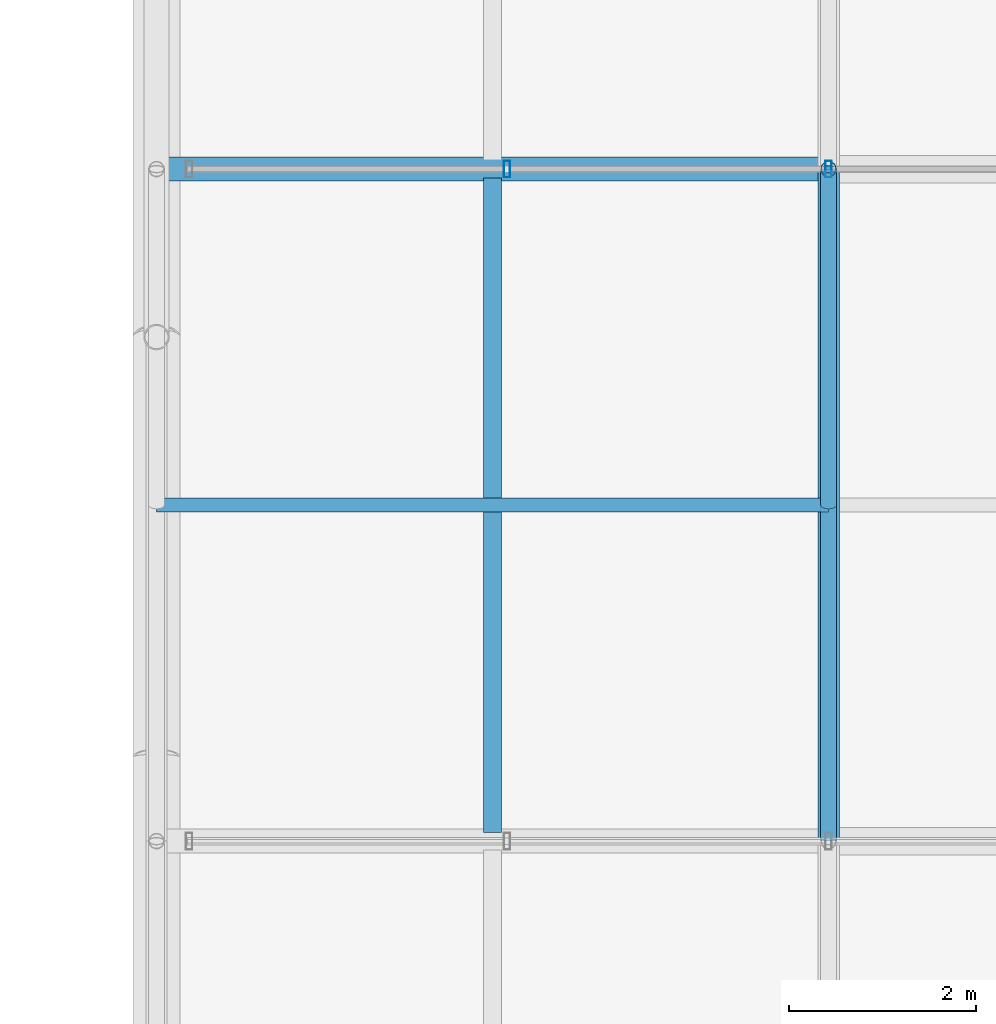
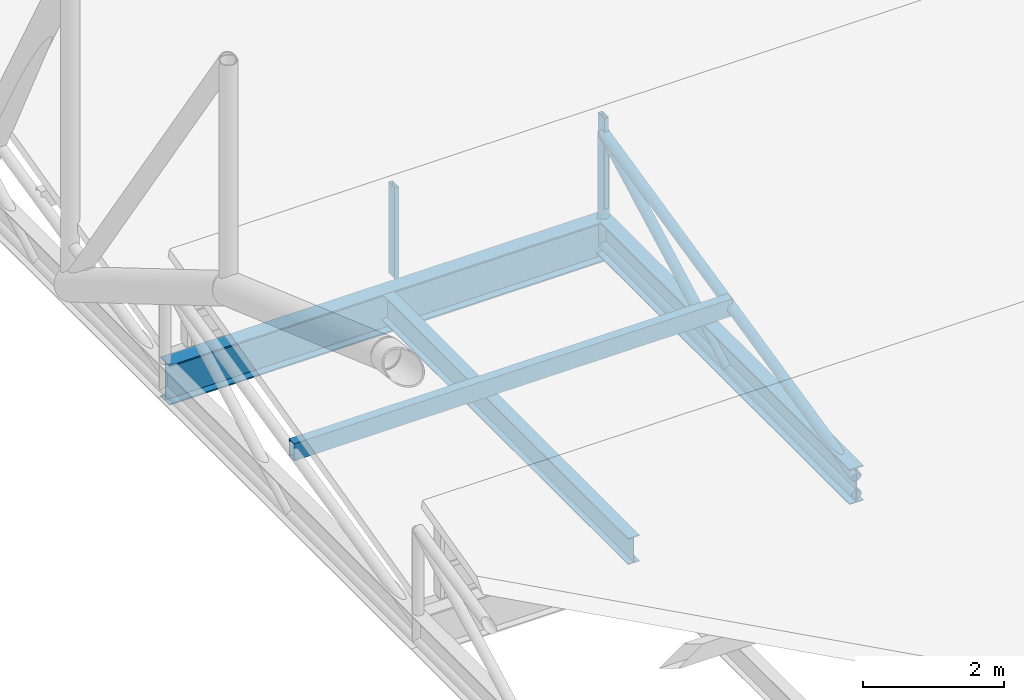
# One storey, part 77 of 144: 7 members, 3 beams, 1 element without a shape of its own.
"""IFC4 building model written with IfcOpenShell, lengths in metres."""

from ifc_helpers import new_model, si_unit, direction, frame, origin, origin_2d, place, context, subcontext, project, spatial, hollow_rectangle, hollow_circle, i_section, extrude, material, material_profile, profile_set, type_object, element, aggregate, save


model = new_model("IFC4")

# Units and contexts
model_context = context("Model", 3, precision=1e-05, world=origin(), true_north=direction((0.0, 1.0)))
body_context = subcontext(model_context, "Body", "Model", "MODEL_VIEW")
ifc_project = project(units=[si_unit("LENGTHUNIT", "METRE"), si_unit("AREAUNIT", "SQUARE_METRE"), si_unit("VOLUMEUNIT", "CUBIC_METRE"), si_unit("PLANEANGLEUNIT", "RADIAN"), si_unit("MASSUNIT", "GRAM", prefix="KILO")], contexts=[model_context])

# Site, building, storey
site_placement = place(None, origin())
site = spatial("IfcSite", under=ifc_project, at=site_placement, CompositionType="ELEMENT")
building_placement = place(site_placement, origin())
building = spatial("IfcBuilding", under=site, at=building_placement, Name="Yarey Park Central Fire Station", CompositionType="ELEMENT")
storey_placement = place(building_placement, frame((0.0, 0.0, 10.199951171875)))
storey = spatial("IfcBuildingStorey", under=building, at=storey_placement, Name="L03", CompositionType="ELEMENT", Elevation=10.199951171875)

# Curtain wall, members
ifc_material_1 = material(Name="Anodized Aluminium Frame", Category="aluminium")
curtain_wall_type = type_object("IfcCurtainWallType", Name="ENV_CW_SAW_18", PredefinedType="NOTDEFINED", material=ifc_material_1)
curtain_wall_placement = place(storey_placement, origin())
curtain_wall = element("IfcCurtainWall", 1, at=curtain_wall_placement, inside=storey, type_object=curtain_wall_type, Name="CW_L03_SAW_6_1", PredefinedType="NOTDEFINED")
ifc_material_profile_1 = material_profile(ifc_material_1, hollow_rectangle(XDim=0.070068359375, YDim=0.179931640625, WallThickness=0.00390625, at=origin_2d()), Name="ALU 180x70x4")
ifc_profile_set_1 = profile_set([ifc_material_profile_1], Name="Anodized Aluminium Frame")
member_type_1 = type_object("IfcMemberType", Name="ENV_CW_MULLION", PredefinedType="MULLION", material=ifc_profile_set_1)
member_1_placement = place(storey_placement, frame((144.0, 86.39990234375, 0.0), z_axis=(0.0, 0.0, 1.0), x_axis=(1.0, 0.0, 0.0)))
member_1 = element("IfcMember", 2, at=member_1_placement, type_object=member_type_1, Name="CW_L03_SAW_6_1_MUL3", PredefinedType="MULLION", context=body_context, shape_type="SweptSolid", body=[
    extrude(hollow_rectangle(XDim=0.070068359375, YDim=0.179931640625, WallThickness=0.00390625, at=origin_2d()), origin(), (0.0, 0.0, 1.0), 1.580078125),
])
member_2_placement = place(storey_placement, frame((140.554931640625, 86.39990234375, 0.0), z_axis=(0.0, 0.0, 1.0), x_axis=(1.0, 0.0, 0.0)))
member_2 = element("IfcMember", 3, at=member_2_placement, type_object=member_type_1, Name="CW_L03_SAW_6_1_MUL4", PredefinedType="MULLION", context=body_context, shape_type="SweptSolid", body=[
    extrude(hollow_rectangle(XDim=0.070068359375, YDim=0.179931640625, WallThickness=0.00390625, at=origin_2d()), origin(), (0.0, 0.0, 1.0), 1.580078125),
])
aggregate(curtain_wall, [member_1, member_2])

# Beams
ifc_material_2 = material(Name="Steel ASTM A992 Gr. 50", Category="steel")
ifc_material_profile_2 = material_profile(ifc_material_2, i_section(OverallWidth=0.22900390625, OverallDepth=0.612060546875, WebThickness=0.011962890625, FlangeThickness=0.01953125, at=origin_2d()), Name="W610x125")
ifc_profile_set_2 = profile_set([ifc_material_profile_2], Name="Steel ASTM A992 Gr. 50")
beam_type_1 = type_object("IfcBeamType", Name="STR_BM_W610", PredefinedType="BEAM", material=ifc_profile_set_2)
beam_1_placement = place(storey_placement, frame((144.0, 79.199951171875, -0.48583984375), z_axis=(0.0, 1.0, 0.0), x_axis=(-1.0, 0.0, 0.0)))
element("IfcBeam", 4, at=beam_1_placement, inside=storey, type_object=beam_type_1, Name="BMY L03 X1440 Y792", PredefinedType="BEAM", context=body_context, shape_type="SweptSolid", body=[
    extrude(i_section(OverallWidth=0.22900390625, OverallDepth=0.612060546875, WebThickness=0.011962890625, FlangeThickness=0.01953125, at=origin_2d()), origin(), (0.0, 0.0, 1.0), 7.199951171875),
])
ifc_material_profile_3 = material_profile(ifc_material_2, i_section(OverallWidth=0.256103515625, OverallDepth=0.693115234375, WebThickness=0.014404296875, FlangeThickness=0.023681640625, at=origin_2d()), Name="W690x170")
ifc_profile_set_3 = profile_set([ifc_material_profile_3], Name="Steel ASTM A992 Gr. 50")
beam_type_2 = type_object("IfcBeamType", Name="STR_BM_W690", PredefinedType="BEAM", material=ifc_profile_set_3)
beam_2_placement = place(storey_placement, frame((136.800048828125, 86.39990234375, -0.5263671875), z_axis=(1.0, 0.0, 0.0), x_axis=(0.0, 1.0, 0.0)))
element("IfcBeam", 5, at=beam_2_placement, inside=storey, type_object=beam_type_2, Name="BMX L03 Y864 X1368", PredefinedType="BEAM", context=body_context, shape_type="SweptSolid", body=[
    extrude(i_section(OverallWidth=0.256103515625, OverallDepth=0.693115234375, WebThickness=0.014404296875, FlangeThickness=0.023681640625, at=origin_2d()), origin(), (0.0, 0.0, 1.0), 7.199951171875),
])

# Members
ifc_material_3 = material(Name="Steel ASTM A500 Gr. C", Category="steel")
ifc_material_profile_4 = material_profile(ifc_material_3, hollow_circle(Radius=0.084228515625, WallThickness=0.008056640625, at=origin_2d()), Name="CHS 168.3x8")
ifc_profile_set_4 = profile_set([ifc_material_profile_4], Name="Steel ASTM A500 Gr. C")
member_type_2 = type_object("IfcMemberType", Name="STR_CHORD_CHS168", PredefinedType="CHORD", material=ifc_profile_set_4)
member_3_placement = place(storey_placement, frame((144.0, 79.199951171875, -0.64990234375), z_axis=(0.0, 1.0, 0.0), x_axis=(-1.0, 0.0, 0.0)))
element("IfcMember", 6, at=member_3_placement, inside=storey, type_object=member_type_2, Name="SAW_T2_B6_BC", PredefinedType="CHORD", context=body_context, shape_type="SweptSolid", body=[
    extrude(hollow_circle(Radius=0.084228515625, WallThickness=0.008056640625, at=origin_2d()), origin(), (0.0, 0.0, 1.0), 7.199951171875),
])
member_4_placement = place(storey_placement, frame((144.0, 79.199951171875, -0.349853515625), z_axis=(0.0, 0.975464150349, 0.220158332533), x_axis=(-1.0, 0.0, 0.0)))
element("IfcMember", 7, at=member_4_placement, inside=storey, type_object=member_type_2, Name="SAW_T2_B6_TC", PredefinedType="CHORD", context=body_context, shape_type="SweptSolid", body=[
    extrude(hollow_circle(Radius=0.084228515625, WallThickness=0.008056640625, at=origin_2d()), origin(), (0.0, 0.0, 1.0), 7.381103515625),
])

# Beam
ifc_material_profile_5 = material_profile(ifc_material_2, i_section(OverallWidth=0.18994140625, OverallDepth=0.45703125, WebThickness=0.009033203125, FlangeThickness=0.014404296875, at=origin_2d()), Name="W460x74")
ifc_profile_set_5 = profile_set([ifc_material_profile_5], Name="Steel ASTM A992 Gr. 50")
beam_type_3 = type_object("IfcBeamType", Name="STR_JST_W460", PredefinedType="JOIST", material=ifc_profile_set_5)
beam_3_placement = place(storey_placement, frame((140.39990234375, 79.294921875, -0.408447265625), z_axis=(0.0, 1.0, 0.0), x_axis=(-1.0, 0.0, 0.0)))
element("IfcBeam", 8, at=beam_3_placement, inside=storey, type_object=beam_type_3, Name="JST L03 X1404 Y792", PredefinedType="JOIST", context=body_context, shape_type="SweptSolid", body=[
    extrude(i_section(OverallWidth=0.18994140625, OverallDepth=0.45703125, WebThickness=0.009033203125, FlangeThickness=0.014404296875, at=origin_2d()), origin(), (0.0, 0.0, 1.0), 7.010009765625),
])

# Members
ifc_material_profile_6 = material_profile(ifc_material_3, hollow_rectangle(XDim=0.14990234375, YDim=0.300048828125, WallThickness=0.010009765625, at=origin_2d()), Name="HSS 300x150x10")
ifc_profile_set_6 = profile_set([ifc_material_profile_6], Name="Steel ASTM A500 Gr. C")
member_type_3 = type_object("IfcMemberType", Name="STR_PUR_HSS300", PredefinedType="PURLIN", material=ifc_profile_set_6)
member_5_placement = place(storey_placement, frame((136.800048828125, 82.800048828125, 0.462646484375), z_axis=(1.0, 0.0, 0.0), x_axis=(0.0, 1.0, 0.0)))
element("IfcMember", 9, at=member_5_placement, inside=storey, type_object=member_type_3, Name="SAW_PUR_1_B6", PredefinedType="PURLIN", context=body_context, shape_type="SweptSolid", body=[
    extrude(hollow_rectangle(XDim=0.14990234375, YDim=0.300048828125, WallThickness=0.010009765625, at=origin_2d()), origin(), (0.0, 0.0, 1.0), 7.199951171875),
])
ifc_material_profile_7 = material_profile(ifc_material_3, hollow_circle(Radius=0.084228515625, WallThickness=0.008056640625, at=origin_2d()), Name="CHS 168.3x8")
ifc_profile_set_7 = profile_set([ifc_material_profile_7], Name="Steel ASTM A500 Gr. C")
member_type_4 = type_object("IfcMemberType", Name="STR_WEB_CHS168", PredefinedType="BRACE", material=ifc_profile_set_7)
member_6_placement = place(storey_placement, frame((144.0, 86.39990234375, -0.64990234375), z_axis=(0.0, 0.0, 1.0), x_axis=(1.0, 0.0, 0.0)))
element("IfcMember", 10, at=member_6_placement, inside=storey, type_object=member_type_4, Name="SAW_T2_B6_VT", PredefinedType="BRACE", context=body_context, shape_type="SweptSolid", body=[
    extrude(hollow_circle(Radius=0.084228515625, WallThickness=0.008056640625, at=origin_2d()), origin(), (0.0, 0.0, 1.0), 1.925048828125),
])
member_7_placement = place(storey_placement, frame((144.0, 82.800048828125, -0.64990234375), z_axis=(0.0, 0.8818309127, 0.471565733919), x_axis=(-1.0, 0.0, 0.0)))
element("IfcMember", 11, at=member_7_placement, inside=storey, type_object=member_type_4, Name="SAW_T2_B6_DG", PredefinedType="BRACE", context=body_context, shape_type="SweptSolid", body=[
    extrude(hollow_circle(Radius=0.084228515625, WallThickness=0.008056640625, at=origin_2d()), origin(), (0.0, 0.0, 1.0), 4.082275390625),
])

save(model, "model.ifc")
